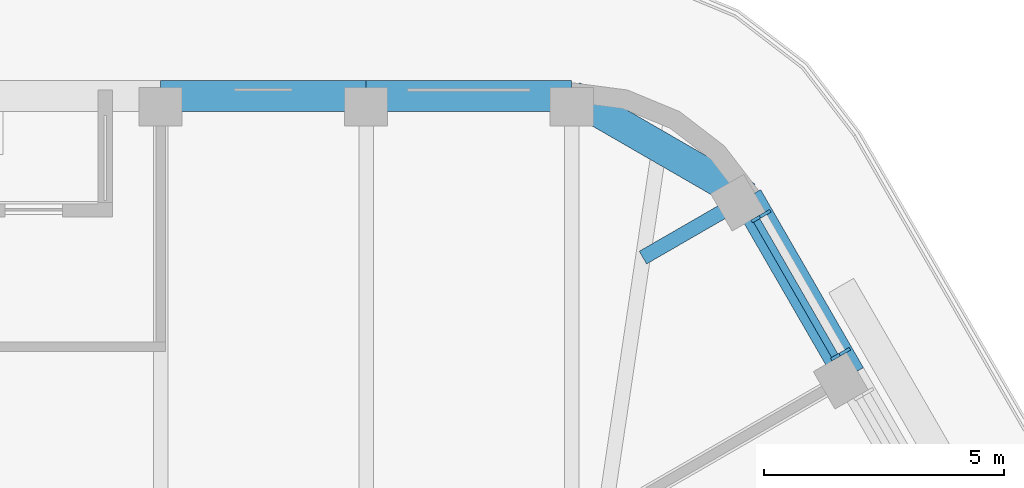
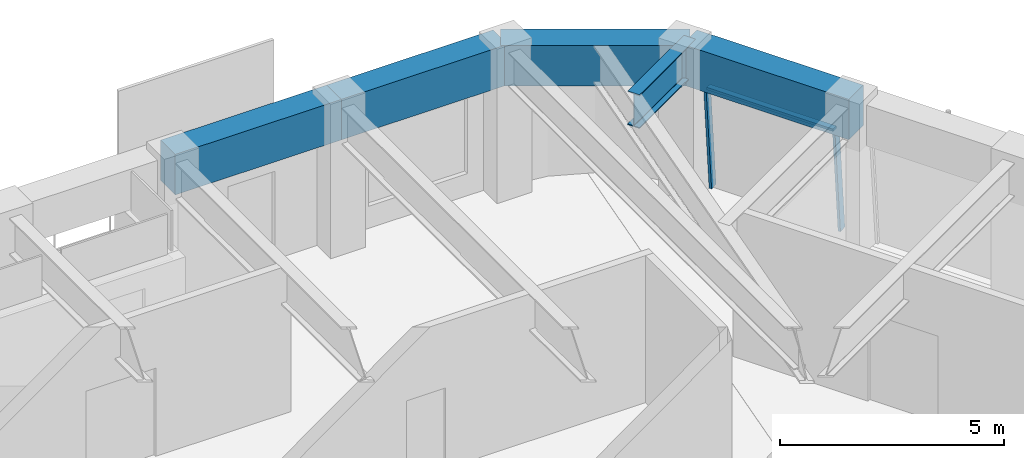
# One storey, part 11 of 19: 5 beams, 3 members, 1 element without a shape of its own.
"""IFC4 building model written with IfcOpenShell, lengths in metres."""

from ifc_helpers import new_model, si_unit, direction, frame, origin, origin_2d, place, context, subcontext, project, spatial, rectangle, i_section, extrude, material, material_profile, profile_set, type_object, element, aggregate, save


model = new_model("IFC4")

# Units and contexts
model_context = context("Model", 3, precision=1e-05, world=origin(), true_north=direction((0.0, 1.0)))
body_context = subcontext(model_context, "Body", "Model", "MODEL_VIEW")
ifc_project = project(units=[si_unit("LENGTHUNIT", "METRE"), si_unit("AREAUNIT", "SQUARE_METRE"), si_unit("VOLUMEUNIT", "CUBIC_METRE"), si_unit("PLANEANGLEUNIT", "RADIAN"), si_unit("MASSUNIT", "GRAM", prefix="KILO")], contexts=[model_context])

# Site, building, storey
site_placement = place(None, origin())
site = spatial("IfcSite", under=ifc_project, at=site_placement, CompositionType="ELEMENT")
building_placement = place(site_placement, origin())
building = spatial("IfcBuilding", under=site, at=building_placement, Name="Tarfa Lantern Tower", CompositionType="ELEMENT")
storey_placement = place(building_placement, frame((0.0, 0.0, 361.89990234375)))
storey = spatial("IfcBuildingStorey", under=building, at=storey_placement, Name="L82", CompositionType="ELEMENT", Elevation=361.89990234375)

# Curtain wall, members
ifc_material_1 = material(Name="Aluminium framed curtain wall", Category="aluminium")
curtain_wall_type = type_object("IfcCurtainWallType", Name="CW4 CANTED GLAZING EXECUTIVE ZONE 2900", PredefinedType="USERDEFINED", material=ifc_material_1)
curtain_wall_placement = place(storey_placement, origin())
curtain_wall = element("IfcCurtainWall", 1, at=curtain_wall_placement, inside=storey, type_object=curtain_wall_type, Name="CW4 NE L82", ObjectType="CURTAIN WALL", PredefinedType="USERDEFINED")
ifc_material_2 = material(Name="Aluminium mullion", Category="aluminium")
ifc_material_profile_1 = material_profile(ifc_material_2, rectangle(XDim=0.06494140625, YDim=0.199951171875, at=origin_2d()), Name="AL MULLION 65x200")
ifc_profile_set_1 = profile_set([ifc_material_profile_1], Name="Aluminium mullion")
member_type_1 = type_object("IfcMemberType", Name="CWM1 MULLION 65x200", PredefinedType="MULLION", material=ifc_profile_set_1)
member_1_placement = place(storey_placement, frame((18.556396484375, 21.159423828125, 0.0), z_axis=(-0.074393603155, -0.042941967097, 0.996303959277), x_axis=(0.499919672301, -0.866071776036, 0.0)))
member_1 = element("IfcMember", 2, at=member_1_placement, type_object=member_type_1, Name="CW4 mullion 1", PredefinedType="MULLION", context=body_context, shape_type="SweptSolid", body=[
    extrude(rectangle(XDim=0.06494140625, YDim=0.199951171875, at=origin_2d()), origin(), (0.0, 0.0, 1.0), 2.910888671875),
])
member_2_placement = place(storey_placement, frame((16.897705078125, 24.0322265625, 0.0), z_axis=(-0.074310195522, -0.042942234884, 0.996310172238), x_axis=(0.500342721131, -0.865827443207, 0.0)))
member_2 = element("IfcMember", 3, at=member_2_placement, type_object=member_type_1, Name="CW4 mullion 2", PredefinedType="MULLION", context=body_context, shape_type="SweptSolid", body=[
    extrude(rectangle(XDim=0.06494140625, YDim=0.199951171875, at=origin_2d()), origin(), (0.0, 0.0, 1.0), 2.910888671875),
])
ifc_material_3 = material(Name="Aluminium transom", Category="aluminium")
ifc_material_profile_2 = material_profile(ifc_material_3, rectangle(XDim=0.14990234375, YDim=0.06494140625, at=origin_2d()), Name="AL TRANSOM 150x65")
ifc_profile_set_2 = profile_set([ifc_material_profile_2], Name="Aluminium transom")
member_type_2 = type_object("IfcMemberType", Name="CWT1 TRANSOM 150x65", PredefinedType="USERDEFINED", material=ifc_profile_set_2)
member_3_placement = place(storey_placement, frame((18.325927734375, 21.06396484375, 2.86767578125), z_axis=(-0.499982393232, 0.866035568818, 0.0), x_axis=(-0.866035568818, -0.499982393232, 0.0)))
member_3 = element("IfcMember", 4, at=member_3_placement, type_object=member_type_2, Name="CW4 transom 1.2", ObjectType="TRANSOM", PredefinedType="USERDEFINED", context=body_context, shape_type="SweptSolid", body=[
    extrude(rectangle(XDim=0.14990234375, YDim=0.06494140625, at=origin_2d()), origin(), (0.0, 0.0, 1.0), 3.251953125),
])
aggregate(curtain_wall, [member_1, member_2, member_3])

# Beams
ifc_material_4 = material(Name="Concrete C80/95", Category="concrete")
ifc_material_profile_3 = material_profile(ifc_material_4, rectangle(XDim=0.64990234375, YDim=1.10009765625, at=origin_2d()), Name="RC 650x1100")
ifc_profile_set_3 = profile_set([ifc_material_profile_3], Name="Concrete C80/95")
beam_type_1 = type_object("IfcBeamType", Name="EB4 RC 650x1100", PredefinedType="SPANDREL", material=ifc_profile_set_3)
beam_1_placement = place(storey_placement, frame((18.6416015625, 20.651611328125, 3.4501953125), z_axis=(-0.499959351497, 0.866048870937, 0.0), x_axis=(-0.866048870937, -0.499959351497, 0.0)))
element("IfcBeam", 5, at=beam_1_placement, inside=storey, type_object=beam_type_1, Name="Edge beam NE5", PredefinedType="SPANDREL", context=body_context, shape_type="SweptSolid", body=[
    extrude(rectangle(XDim=0.64990234375, YDim=1.10009765625, at=origin_2d()), origin(), (0.0, 0.0, 1.0), 4.281982421875),
])
beam_2_placement = place(storey_placement, frame((16.500732421875, 24.360107421875, 3.4501953125), z_axis=(-0.866048788483, 0.499959494327, 0.0), x_axis=(-0.499959494327, -0.866048788483, 0.0)))
element("IfcBeam", 6, at=beam_2_placement, inside=storey, type_object=beam_type_1, Name="Edge beam NE6", PredefinedType="SPANDREL", context=body_context, shape_type="SweptSolid", body=[
    extrude(rectangle(XDim=0.64990234375, YDim=1.10009765625, at=origin_2d()), origin(), (0.0, 0.0, 1.0), 4.219970703125),
])
for number, where, z_axis, x_axis, name in (
    (7, (12.845947265625, 26.469970703125, 3.4501953125), (-1.0, 0.0, 0.0), (0.0, -1.0, 0.0), "Edge beam N0"),
    (8, (8.56396484375, 26.469970703125, 3.4501953125), (-1.0, 0.0, 0.0), (0.0, -1.0, 0.0), "Edge beam N1"),
):
    element("IfcBeam", number, at=place(storey_placement, frame(where, z_axis=z_axis, x_axis=x_axis)), inside=storey, type_object=beam_type_1, Name=name, PredefinedType="SPANDREL", context=body_context, shape_type="SweptSolid", body=[
        extrude(rectangle(XDim=0.64990234375, YDim=1.10009765625, at=origin_2d()), origin(), (0.0, 0.0, 1.0), 4.281982421875),
    ])
ifc_material_5 = material(Name="Steel S460M", Category="steel")
ifc_material_profile_4 = material_profile(ifc_material_5, i_section(OverallWidth=0.305419921875, OverallDepth=0.91845703125, WebThickness=0.017333984375, FlangeThickness=0.02783203125, FilletRadius=0.01904296875, at=origin_2d()), Name="UB914x305x253")
ifc_profile_set_4 = profile_set([ifc_material_profile_4], Name="Steel S460M")
beam_type_2 = type_object("IfcBeamType", Name="UB914x305x253", PredefinedType="BEAM", material=ifc_profile_set_4)
beam_3_placement = place(storey_placement, frame((16.500732421875, 24.360107421875, 3.541015625), z_axis=(-0.865992557167, -0.500056887695, 0.0), x_axis=(0.500056887695, -0.865992557167, 0.0)))
element("IfcBeam", 9, at=beam_3_placement, inside=storey, type_object=beam_type_2, Name="Floor beam NE6", PredefinedType="BEAM", context=body_context, shape_type="SweptSolid", body=[
    extrude(i_section(OverallWidth=0.305419921875, OverallDepth=0.91845703125, WebThickness=0.017333984375, FlangeThickness=0.02783203125, FilletRadius=0.01904296875, at=origin_2d()), origin(), (0.0, 0.0, 1.0), 2.506591796875),
])

save(model, "model.ifc")
